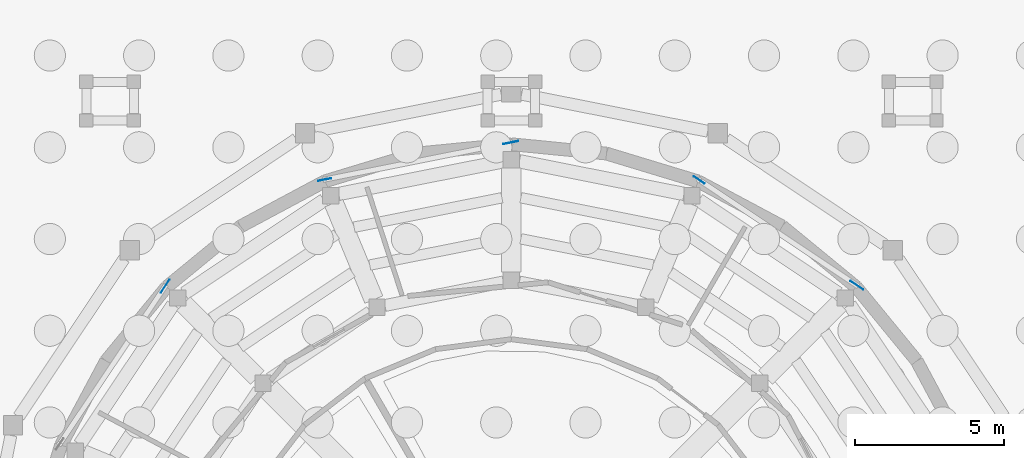
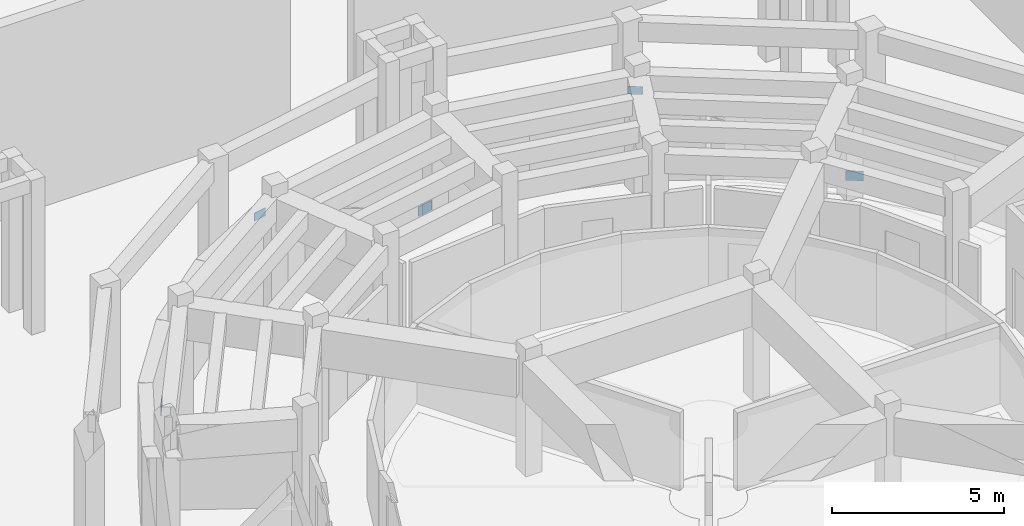
# One storey, part 28 of 57: 5 plates.
"""IFC4 building model written with IfcOpenShell, lengths in metres."""

from ifc_helpers import new_model, si_unit, direction, frame, origin, origin_2d, place, context, subcontext, project, spatial, rectangle, extrude, material, layer, layer_set, type_object, element, save


model = new_model("IFC4")

# Units and contexts
model_context = context("Model", 3, precision=1e-05, world=origin(), true_north=direction((0.0, 1.0)))
body_context = subcontext(model_context, "Body", "Model", "MODEL_VIEW")
ifc_project = project(units=[si_unit("LENGTHUNIT", "METRE"), si_unit("AREAUNIT", "SQUARE_METRE"), si_unit("VOLUMEUNIT", "CUBIC_METRE"), si_unit("PLANEANGLEUNIT", "RADIAN"), si_unit("MASSUNIT", "GRAM", prefix="KILO")], contexts=[model_context])

# Site, building, storey
site_placement = place(None, origin())
site = spatial("IfcSite", under=ifc_project, at=site_placement, CompositionType="ELEMENT")
building_placement = place(site_placement, origin())
building = spatial("IfcBuilding", under=site, at=building_placement, Name="Aldenvaro Health Centre", CompositionType="ELEMENT")
storey_placement = place(building_placement, frame((0.0, 0.0, -4.550048828125)))
storey = spatial("IfcBuildingStorey", under=building, at=storey_placement, Name="B1", CompositionType="ELEMENT", Elevation=-4.550048828125)

# Plates
ifc_material = material(Name="Steel ASTM A572 Grade 50", Category="steel")
ifc_layer_1 = layer(ifc_material, 0.01806640625, Name="Steel ASTM A572 Grade 50", Category="steel")
ifc_layer_set_1 = layer_set([ifc_layer_1], Name="Steel ASTM A572 Grade 50")
plate_type_1 = type_object("IfcPlateType", Name="PLT-GUS-02", PredefinedType="SHEET", material=ifc_layer_set_1)
for number, where, z_axis, x_axis, name in (
    (1, (98.6220703125, 31.64990234375, 0.1298828125), (0.0, 0.0, 1.0), (-0.831421126488, 0.555642790316, 0.0), "D1 B1 brace end gusset 3.B"),
    (2, (86.97998046875, 36.4560546875, 0.1298828125), (0.0, 0.0, 1.0), (-0.980785280403, -0.195090322016, 0.0), "D1 B1 brace end gusset 5.B"),
    (3, (75.35009765625, 31.6220703125, 0.1298828125), (0.0, 0.0, 1.0), (-0.555642790316, -0.831421126488, 0.0), "D1 B1 brace end gusset 7.B"),
):
    element("IfcPlate", number, at=place(storey_placement, frame(where, z_axis=z_axis, x_axis=x_axis)), inside=storey, type_object=plate_type_1, Name=name, PredefinedType="SHEET", context=body_context, shape_type="SweptSolid", body=[
        extrude(rectangle(XDim=0.52001953125, YDim=0.01806640625, at=origin_2d()), origin(), (0.0, 0.0, 1.0), 0.340087890625),
    ])
ifc_layer_2 = layer(ifc_material, 0.01611328125, Name="Steel ASTM A572 Grade 50", Category="steel")
ifc_layer_set_2 = layer_set([ifc_layer_2], Name="Steel ASTM A572 Grade 50")
plate_type_2 = type_object("IfcPlateType", Name="PLT-GUS-03", PredefinedType="SHEET", material=ifc_layer_set_2)
for number, where, z_axis, x_axis, name in (
    (4, (93.31591796875, 35.196044921875, 2.89501953125), (0.0, 0.0, 1.0), (-0.831421126488, 0.555642790316, 0.0), "D1 B1 brace end gusset 3.T"),
    (5, (80.720947265625, 35.2109375, 2.89501953125), (0.0, 0.0, 1.0), (-0.980785280403, -0.195090322016, 0.0), "D1 B1 brace end gusset 5.T"),
):
    element("IfcPlate", number, at=place(storey_placement, frame(where, z_axis=z_axis, x_axis=x_axis)), inside=storey, type_object=plate_type_2, Name=name, PredefinedType="SHEET", context=body_context, shape_type="SweptSolid", body=[
        extrude(rectangle(XDim=0.43994140625, YDim=0.01611328125, at=origin_2d()), origin(), (0.0, 0.0, 1.0), 0.280029296875),
    ])

save(model, "model.ifc")
